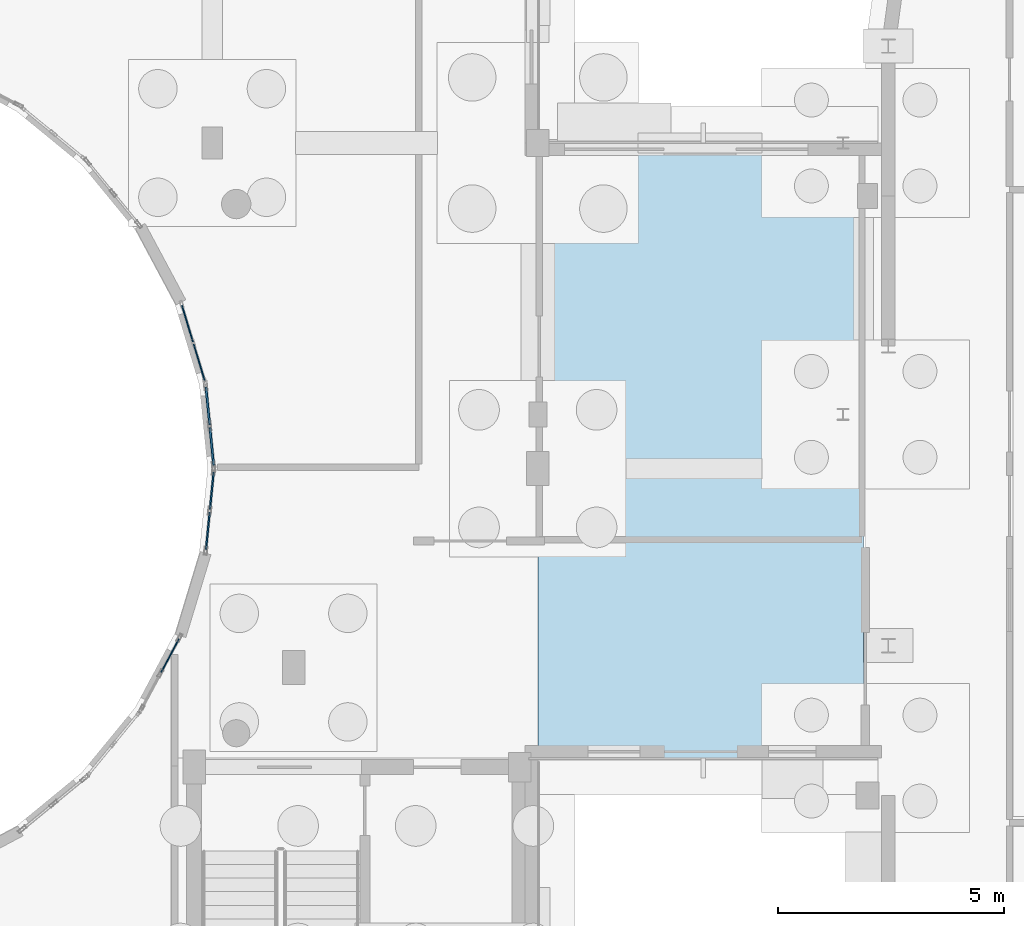
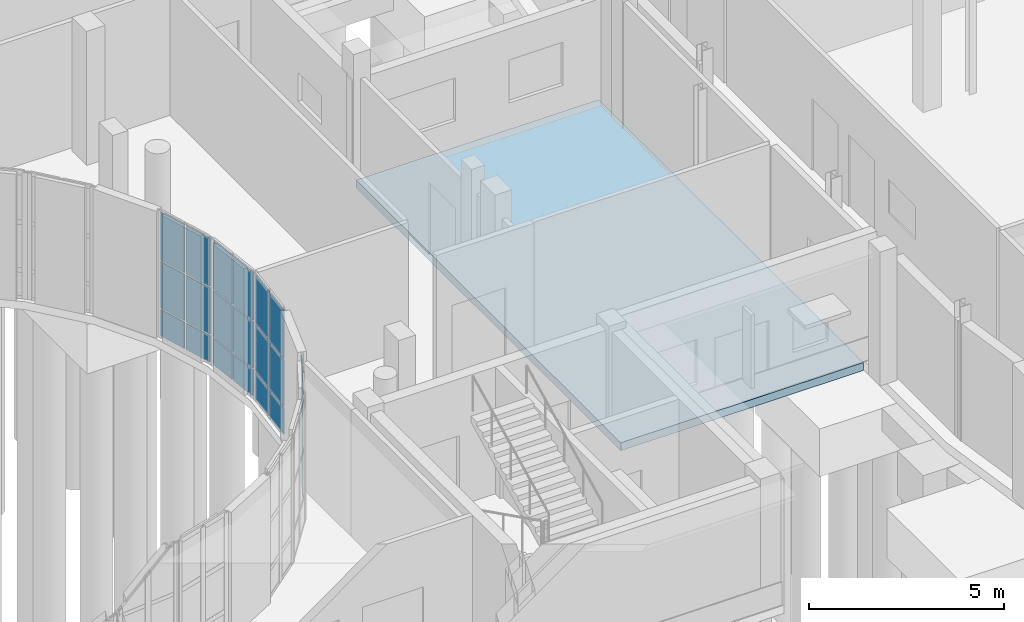
# One storey, part 55 of 93: 21 plates, 1 slab, 4 elements without a shape of their own.
"""IFC4 building model written with IfcOpenShell, lengths in metres."""

from ifc_helpers import new_model, si_unit, direction, frame, origin, origin_2d, place, context, subcontext, project, spatial, polyline, rectangle, outline, extrude, material, layer, layer_set, type_object, element, aggregate, save


model = new_model("IFC4")

# Units and contexts
model_context = context("Model", 3, precision=1e-05, world=origin(), true_north=direction((0.0, 1.0)))
body_context = subcontext(model_context, "Body", "Model", "MODEL_VIEW")
ifc_project = project(units=[si_unit("LENGTHUNIT", "METRE"), si_unit("AREAUNIT", "SQUARE_METRE"), si_unit("VOLUMEUNIT", "CUBIC_METRE"), si_unit("PLANEANGLEUNIT", "RADIAN"), si_unit("MASSUNIT", "GRAM", prefix="KILO")], contexts=[model_context])

# Site, building, storey
site_placement = place(None, origin())
site = spatial("IfcSite", under=ifc_project, at=site_placement, CompositionType="ELEMENT")
building_placement = place(site_placement, origin())
building = spatial("IfcBuilding", under=site, at=building_placement, Name="Kelanivale Promenade Academy", CompositionType="ELEMENT")
storey_placement = place(building_placement, origin())
storey = spatial("IfcBuildingStorey", under=building, at=storey_placement, Name="L00", CompositionType="ELEMENT", Elevation=0.0)

# Slab
ifc_material_1 = material(Name="Concrete C35/45", Category="concrete")
ifc_layer_1 = layer(ifc_material_1, 0.25)
ifc_layer_set_1 = layer_set([ifc_layer_1], Name="Concrete C35/45")
slab_type = type_object("IfcSlabType", Name="BS-01 Slab 250mm", PredefinedType="BASESLAB", material=ifc_layer_set_1)
slab_placement = place(storey_placement, frame((0.0, 0.0, -0.25)))
element("IfcSlab", 1, at=slab_placement, inside=storey, type_object=slab_type, Name="L00 structural slab SLB-L00-V4FE", PredefinedType="BASESLAB", context=body_context, shape_type="SweptSolid", body=[
    extrude(outline(polyline([(115.60009765625, 64.0), (115.60009765625, 50.39990234375), (122.800048828125, 50.39990234375), (122.800048828125, 64.0), (115.60009765625, 64.0)])), origin(), (0.0, 0.0, 1.0), 0.25),
])

# Curtain wall, plates
ifc_material_2 = material(Name="Bronze anodised aluminium and solar-control low-E glass", Category="aluminium")
ifc_layer_2 = layer(ifc_material_2, 0.169921875)
ifc_layer_set_2 = layer_set([ifc_layer_2], Name="Bronze anodised aluminium and solar-control low-E glass")
curtain_wall_type_1 = type_object("IfcCurtainWallType", Name="CW-22 Curtain Wall 1800mm Module", PredefinedType="USERDEFINED", material=ifc_layer_set_2)
curtain_wall_1_placement = place(storey_placement, origin())
curtain_wall_1 = element("IfcCurtainWall", 2, at=curtain_wall_1_placement, inside=storey, type_object=curtain_wall_type_1, Name="L00 courtyard curtain wall CW-22", ObjectType="COURTYARD SCREEN GLAZING", PredefinedType="USERDEFINED")
ifc_material_3 = material(Name="Solar-control double glazing 28 mm", Category="glass")
ifc_layer_3 = layer(ifc_material_3, 0.028076171875)
ifc_layer_set_3 = layer_set([ifc_layer_3], Name="Solar-control double glazing 28 mm")
plate_type_1 = type_object("IfcPlateType", Name="CWP-01 Plate 28mm", PredefinedType="CURTAIN_PANEL", material=ifc_layer_set_3)
plate_1_placement = place(storey_placement, frame((107.46826171875, 52.665283203125, 0.0498046875), z_axis=(0.0, 0.0, 1.0), x_axis=(0.471290193914, 0.881978204448, 0.0)))
plate_1 = element("IfcPlate", 3, at=plate_1_placement, type_object=plate_type_1, Name="CW-22 panel 2.1", PredefinedType="CURTAIN_PANEL", context=body_context, shape_type="SweptSolid", body=[
    extrude(rectangle(XDim=0.833984375, YDim=0.028076171875, at=origin_2d()), origin(), (0.0, 0.0, 1.0), 0.824951171875),
])
plate_2_placement = place(storey_placement, frame((107.46826171875, 52.665283203125, 0.9248046875), z_axis=(0.0, 0.0, 1.0), x_axis=(0.471290193914, 0.881978204448, 0.0)))
plate_2 = element("IfcPlate", 4, at=plate_2_placement, type_object=plate_type_1, Name="CW-22 panel 2.2", PredefinedType="CURTAIN_PANEL", context=body_context, shape_type="SweptSolid", body=[
    extrude(rectangle(XDim=0.833984375, YDim=0.028076171875, at=origin_2d()), origin(), (0.0, 0.0, 1.0), 1.449951171875),
])
plate_3_placement = place(storey_placement, frame((107.46826171875, 52.665283203125, 2.425048828125), z_axis=(0.0, 0.0, 1.0), x_axis=(0.471290193914, 0.881978204448, 0.0)))
plate_3 = element("IfcPlate", 5, at=plate_3_placement, type_object=plate_type_1, Name="CW-22 panel 2.3", PredefinedType="CURTAIN_PANEL", context=body_context, shape_type="SweptSolid", body=[
    extrude(rectangle(XDim=0.833984375, YDim=0.028076171875, at=origin_2d()), origin(), (0.0, 0.0, 1.0), 1.5048828125),
])
aggregate(curtain_wall_1, [plate_1, plate_2, plate_3])

ifc_layer_4 = layer(ifc_material_2, 0.169921875)
ifc_layer_set_4 = layer_set([ifc_layer_4], Name="Bronze anodised aluminium and solar-control low-E glass")
curtain_wall_type_2 = type_object("IfcCurtainWallType", Name="CW-01 Curtain Wall 1350mm Module", PredefinedType="USERDEFINED", material=ifc_layer_set_4)
curtain_wall_2_placement = place(storey_placement, origin())
curtain_wall_2 = element("IfcCurtainWall", 6, at=curtain_wall_2_placement, inside=storey, type_object=curtain_wall_type_2, Name="L00 courtyard curtain wall CW-01", ObjectType="UNITISED GLAZING", PredefinedType="USERDEFINED")
plate_4_placement = place(storey_placement, frame((108.112548828125, 59.150390625, 0.0498046875), z_axis=(0.0, 0.0, 1.0), x_axis=(-0.290127576893, 0.956987977524, 0.0)))
plate_4 = element("IfcPlate", 7, at=plate_4_placement, type_object=plate_type_1, Name="CW-01 panel 1.1", PredefinedType="CURTAIN_PANEL", context=body_context, shape_type="SweptSolid", body=[
    extrude(rectangle(XDim=0.833740234375, YDim=0.028076171875, at=origin_2d()), origin(), (0.0, 0.0, 1.0), 0.824951171875),
])
plate_5_placement = place(storey_placement, frame((108.112548828125, 59.150390625, 0.9248046875), z_axis=(0.0, 0.0, 1.0), x_axis=(-0.290127576893, 0.956987977524, 0.0)))
plate_5 = element("IfcPlate", 8, at=plate_5_placement, type_object=plate_type_1, Name="CW-01 panel 1.2", PredefinedType="CURTAIN_PANEL", context=body_context, shape_type="SweptSolid", body=[
    extrude(rectangle(XDim=0.833740234375, YDim=0.028076171875, at=origin_2d()), origin(), (0.0, 0.0, 1.0), 1.449951171875),
])
plate_6_placement = place(storey_placement, frame((108.112548828125, 59.150390625, 2.425048828125), z_axis=(0.0, 0.0, 1.0), x_axis=(-0.290127576893, 0.956987977524, 0.0)))
plate_6 = element("IfcPlate", 9, at=plate_6_placement, type_object=plate_type_1, Name="CW-01 panel 1.3", PredefinedType="CURTAIN_PANEL", context=body_context, shape_type="SweptSolid", body=[
    extrude(rectangle(XDim=0.833740234375, YDim=0.028076171875, at=origin_2d()), origin(), (0.0, 0.0, 1.0), 1.5048828125),
])
plate_7_placement = place(storey_placement, frame((107.853271484375, 60.005615234375, 0.0498046875), z_axis=(0.0, 0.0, 1.0), x_axis=(-0.290127576893, 0.956987977524, 0.0)))
plate_7 = element("IfcPlate", 10, at=plate_7_placement, type_object=plate_type_1, Name="CW-01 panel 2.1", PredefinedType="CURTAIN_PANEL", context=body_context, shape_type="SweptSolid", body=[
    extrude(rectangle(XDim=0.833740234375, YDim=0.028076171875, at=origin_2d()), origin(), (0.0, 0.0, 1.0), 0.824951171875),
])
plate_8_placement = place(storey_placement, frame((107.853271484375, 60.005615234375, 0.9248046875), z_axis=(0.0, 0.0, 1.0), x_axis=(-0.290127576893, 0.956987977524, 0.0)))
plate_8 = element("IfcPlate", 11, at=plate_8_placement, type_object=plate_type_1, Name="CW-01 panel 2.2", PredefinedType="CURTAIN_PANEL", context=body_context, shape_type="SweptSolid", body=[
    extrude(rectangle(XDim=0.833740234375, YDim=0.028076171875, at=origin_2d()), origin(), (0.0, 0.0, 1.0), 1.449951171875),
])
plate_9_placement = place(storey_placement, frame((107.853271484375, 60.005615234375, 2.425048828125), z_axis=(0.0, 0.0, 1.0), x_axis=(-0.290127576893, 0.956987977524, 0.0)))
plate_9 = element("IfcPlate", 12, at=plate_9_placement, type_object=plate_type_1, Name="CW-01 panel 2.3", PredefinedType="CURTAIN_PANEL", context=body_context, shape_type="SweptSolid", body=[
    extrude(rectangle(XDim=0.833740234375, YDim=0.028076171875, at=origin_2d()), origin(), (0.0, 0.0, 1.0), 1.5048828125),
])
aggregate(curtain_wall_2, [plate_4, plate_5, plate_6, plate_7, plate_8, plate_9])

ifc_layer_5 = layer(ifc_material_2, 0.179931640625)
ifc_layer_set_5 = layer_set([ifc_layer_5], Name="Bronze anodised aluminium and solar-control low-E glass")
curtain_wall_type_3 = type_object("IfcCurtainWallType", Name="CW-23 Curtain Wall 1950mm Module", PredefinedType="USERDEFINED", material=ifc_layer_set_5)
curtain_wall_3_placement = place(storey_placement, origin())
curtain_wall_3 = element("IfcCurtainWall", 13, at=curtain_wall_3_placement, inside=storey, type_object=curtain_wall_type_3, Name="L00 courtyard curtain wall CW-23", ObjectType="COURTYARD SCREEN GLAZING", PredefinedType="USERDEFINED")
ifc_material_4 = material(Name="Acoustic laminated double glazing 36 mm", Category="glass")
ifc_layer_6 = layer(ifc_material_4, 0.035888671875)
ifc_layer_set_6 = layer_set([ifc_layer_6], Name="Acoustic laminated double glazing 36 mm")
plate_type_2 = type_object("IfcPlateType", Name="CWP-02 Plate 36mm", PredefinedType="CURTAIN_PANEL", material=ifc_layer_set_6)
plate_10_placement = place(storey_placement, frame((108.30419921875, 55.423583984375, 0.0498046875), z_axis=(0.0, 0.0, 1.0), x_axis=(0.098538762159, 0.99513321337, 0.0)))
plate_10 = element("IfcPlate", 14, at=plate_10_placement, type_object=plate_type_2, Name="CW-23 panel 1.1", PredefinedType="CURTAIN_PANEL", context=body_context, shape_type="SweptSolid", body=[
    extrude(rectangle(XDim=0.825927734375, YDim=0.035888671875, at=origin_2d()), origin(), (0.0, 0.0, 1.0), 0.824951171875),
])
plate_11_placement = place(storey_placement, frame((108.30419921875, 55.423583984375, 0.9248046875), z_axis=(0.0, 0.0, 1.0), x_axis=(0.098538762159, 0.99513321337, 0.0)))
plate_11 = element("IfcPlate", 15, at=plate_11_placement, type_object=plate_type_2, Name="CW-23 panel 1.2", PredefinedType="CURTAIN_PANEL", context=body_context, shape_type="SweptSolid", body=[
    extrude(rectangle(XDim=0.825927734375, YDim=0.035888671875, at=origin_2d()), origin(), (0.0, 0.0, 1.0), 1.449951171875),
])
plate_12_placement = place(storey_placement, frame((108.30419921875, 55.423583984375, 2.425048828125), z_axis=(0.0, 0.0, 1.0), x_axis=(0.098538762159, 0.99513321337, 0.0)))
plate_12 = element("IfcPlate", 16, at=plate_12_placement, type_object=plate_type_2, Name="CW-23 panel 1.3", PredefinedType="CURTAIN_PANEL", context=body_context, shape_type="SweptSolid", body=[
    extrude(rectangle(XDim=0.825927734375, YDim=0.035888671875, at=origin_2d()), origin(), (0.0, 0.0, 1.0), 1.5048828125),
])
plate_13_placement = place(storey_placement, frame((108.391845703125, 56.310302734375, 0.0498046875), z_axis=(0.0, 0.0, 1.0), x_axis=(0.098538762159, 0.99513321337, 0.0)))
plate_13 = element("IfcPlate", 17, at=plate_13_placement, type_object=plate_type_2, Name="CW-23 panel 2.1", PredefinedType="CURTAIN_PANEL", context=body_context, shape_type="SweptSolid", body=[
    extrude(rectangle(XDim=0.825927734375, YDim=0.035888671875, at=origin_2d()), origin(), (0.0, 0.0, 1.0), 0.824951171875),
])
plate_14_placement = place(storey_placement, frame((108.391845703125, 56.310302734375, 0.9248046875), z_axis=(0.0, 0.0, 1.0), x_axis=(0.098538762159, 0.99513321337, 0.0)))
plate_14 = element("IfcPlate", 18, at=plate_14_placement, type_object=plate_type_2, Name="CW-23 panel 2.2", PredefinedType="CURTAIN_PANEL", context=body_context, shape_type="SweptSolid", body=[
    extrude(rectangle(XDim=0.825927734375, YDim=0.035888671875, at=origin_2d()), origin(), (0.0, 0.0, 1.0), 1.449951171875),
])
plate_15_placement = place(storey_placement, frame((108.391845703125, 56.310302734375, 2.425048828125), z_axis=(0.0, 0.0, 1.0), x_axis=(0.098538762159, 0.99513321337, 0.0)))
plate_15 = element("IfcPlate", 19, at=plate_15_placement, type_object=plate_type_2, Name="CW-23 panel 2.3", PredefinedType="CURTAIN_PANEL", context=body_context, shape_type="SweptSolid", body=[
    extrude(rectangle(XDim=0.825927734375, YDim=0.035888671875, at=origin_2d()), origin(), (0.0, 0.0, 1.0), 1.5048828125),
])
aggregate(curtain_wall_3, [plate_10, plate_11, plate_12, plate_13, plate_14, plate_15])

ifc_layer_7 = layer(ifc_material_2, 0.159912109375)
ifc_layer_set_7 = layer_set([ifc_layer_7], Name="Bronze anodised aluminium and solar-control low-E glass")
curtain_wall_type_4 = type_object("IfcCurtainWallType", Name="CW-24 Curtain Wall 1200mm Module", PredefinedType="USERDEFINED", material=ifc_layer_set_7)
curtain_wall_4_placement = place(storey_placement, origin())
curtain_wall_4 = element("IfcCurtainWall", 20, at=curtain_wall_4_placement, inside=storey, type_object=curtain_wall_type_4, Name="L00 courtyard curtain wall CW-24", ObjectType="COURTYARD SCREEN GLAZING", PredefinedType="USERDEFINED")
ifc_material_5 = material(Name="Insulated bronze aluminium spandrel panel 44 mm", Category="aluminium")
ifc_layer_8 = layer(ifc_material_5, 0.0439453125)
ifc_layer_set_8 = layer_set([ifc_layer_8], Name="Insulated bronze aluminium spandrel panel 44 mm")
plate_type_3 = type_object("IfcPlateType", Name="CWP-03 Plate 44mm", PredefinedType="CURTAIN_PANEL", material=ifc_layer_set_8)
plate_16_placement = place(storey_placement, frame((108.3916015625, 57.29345703125, 0.06005859375), z_axis=(0.0, 0.0, 1.0), x_axis=(-0.098280652454, 0.995158737767, 0.0)))
plate_16 = element("IfcPlate", 21, at=plate_16_placement, type_object=plate_type_3, Name="CW-24 panel 1.1", PredefinedType="CURTAIN_PANEL", context=body_context, shape_type="SweptSolid", body=[
    extrude(rectangle(XDim=0.83349609375, YDim=0.0439453125, at=origin_2d()), origin(), (0.0, 0.0, 1.0), 0.81005859375),
])
plate_17_placement = place(storey_placement, frame((108.3916015625, 57.29345703125, 0.929931640625), z_axis=(0.0, 0.0, 1.0), x_axis=(-0.098280652454, 0.995158737767, 0.0)))
plate_17 = element("IfcPlate", 22, at=plate_17_placement, type_object=plate_type_3, Name="CW-24 panel 1.2", PredefinedType="CURTAIN_PANEL", context=body_context, shape_type="SweptSolid", body=[
    extrude(rectangle(XDim=0.83349609375, YDim=0.0439453125, at=origin_2d()), origin(), (0.0, 0.0, 1.0), 1.43994140625),
])
plate_18_placement = place(storey_placement, frame((108.3916015625, 57.29345703125, 2.43017578125), z_axis=(0.0, 0.0, 1.0), x_axis=(-0.098280652454, 0.995158737767, 0.0)))
plate_18 = element("IfcPlate", 23, at=plate_18_placement, type_object=plate_type_3, Name="CW-24 panel 1.3", PredefinedType="CURTAIN_PANEL", context=body_context, shape_type="SweptSolid", body=[
    extrude(rectangle(XDim=0.83349609375, YDim=0.0439453125, at=origin_2d()), origin(), (0.0, 0.0, 1.0), 1.489990234375),
])
plate_19_placement = place(storey_placement, frame((108.303466796875, 58.1875, 0.06005859375), z_axis=(0.0, 0.0, 1.0), x_axis=(-0.098280652454, 0.995158737767, 0.0)))
plate_19 = element("IfcPlate", 24, at=plate_19_placement, type_object=plate_type_3, Name="CW-24 panel 2.1", PredefinedType="CURTAIN_PANEL", context=body_context, shape_type="SweptSolid", body=[
    extrude(rectangle(XDim=0.83349609375, YDim=0.0439453125, at=origin_2d()), origin(), (0.0, 0.0, 1.0), 0.81005859375),
])
plate_20_placement = place(storey_placement, frame((108.303466796875, 58.1875, 0.929931640625), z_axis=(0.0, 0.0, 1.0), x_axis=(-0.098280652454, 0.995158737767, 0.0)))
plate_20 = element("IfcPlate", 25, at=plate_20_placement, type_object=plate_type_3, Name="CW-24 panel 2.2", PredefinedType="CURTAIN_PANEL", context=body_context, shape_type="SweptSolid", body=[
    extrude(rectangle(XDim=0.83349609375, YDim=0.0439453125, at=origin_2d()), origin(), (0.0, 0.0, 1.0), 1.43994140625),
])
plate_21_placement = place(storey_placement, frame((108.303466796875, 58.1875, 2.43017578125), z_axis=(0.0, 0.0, 1.0), x_axis=(-0.098280652454, 0.995158737767, 0.0)))
plate_21 = element("IfcPlate", 26, at=plate_21_placement, type_object=plate_type_3, Name="CW-24 panel 2.3", PredefinedType="CURTAIN_PANEL", context=body_context, shape_type="SweptSolid", body=[
    extrude(rectangle(XDim=0.83349609375, YDim=0.0439453125, at=origin_2d()), origin(), (0.0, 0.0, 1.0), 1.489990234375),
])
aggregate(curtain_wall_4, [plate_16, plate_17, plate_18, plate_19, plate_20, plate_21])

save(model, "model.ifc")
